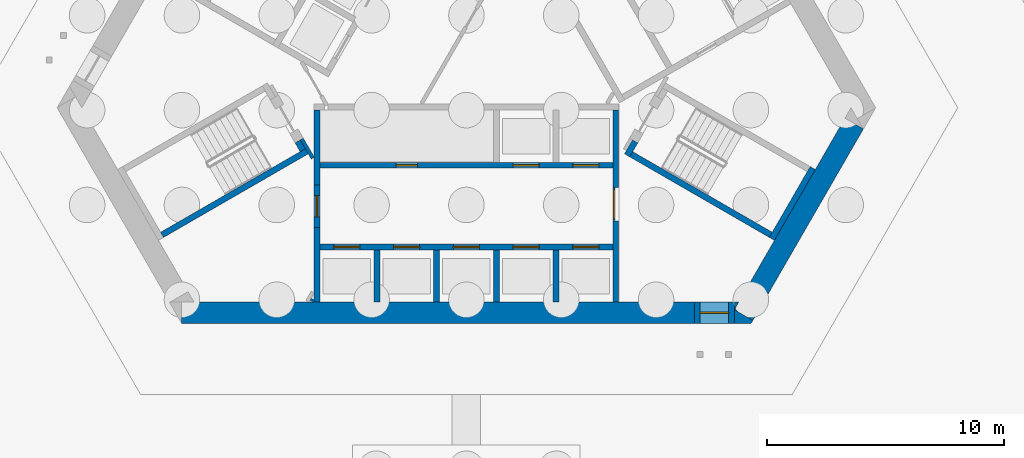
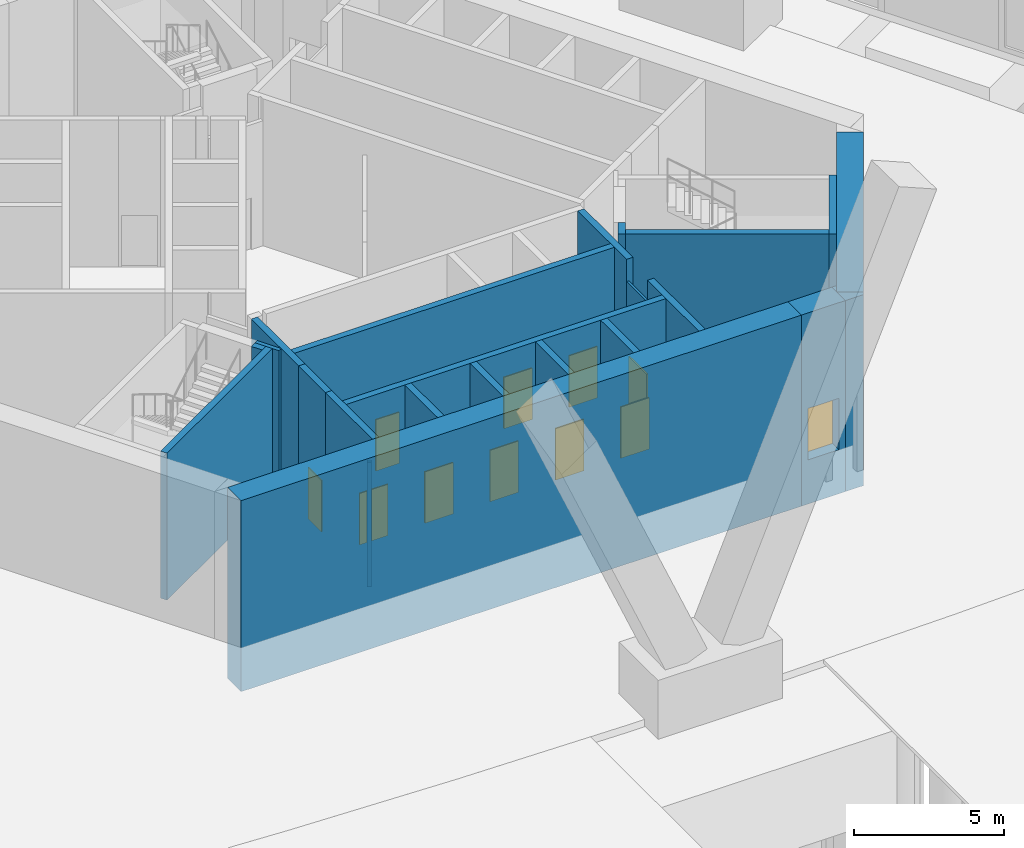
# One storey, part 12 of 38: 24 walls, 11 doors, 11 openings.
"""IFC4 building model written with IfcOpenShell, lengths in metres."""

from ifc_helpers import new_model, si_unit, direction, frame, frame_2d, origin, place, context, subcontext, project, spatial, polyline, rectangle, outline, extrude, material, layer, layer_set, type_object, element, fill, save


model = new_model("IFC4")

# Units and contexts
model_context = context("Model", 3, precision=1e-05, world=origin(), true_north=direction((0.0, 1.0)))
body_context = subcontext(model_context, "Body", "Model", "MODEL_VIEW")
ifc_project = project(units=[si_unit("LENGTHUNIT", "METRE"), si_unit("AREAUNIT", "SQUARE_METRE"), si_unit("VOLUMEUNIT", "CUBIC_METRE"), si_unit("PLANEANGLEUNIT", "RADIAN"), si_unit("MASSUNIT", "GRAM", prefix="KILO")], contexts=[model_context])

# Site, building, storey
site_placement = place(None, origin())
site = spatial("IfcSite", under=ifc_project, at=site_placement, CompositionType="ELEMENT")
building_placement = place(site_placement, origin())
building = spatial("IfcBuilding", under=site, at=building_placement, Name="Mestral Congress Tower", CompositionType="ELEMENT")
storey_placement = place(building_placement, origin())
storey = spatial("IfcBuildingStorey", under=building, at=storey_placement, Name="L00", CompositionType="ELEMENT", Elevation=0.0)

# Wall
ifc_material_1 = material(Name="Fire-rated board partition")
ifc_layer_1 = layer(ifc_material_1, 0.14990234375)
ifc_layer_set_1 = layer_set([ifc_layer_1], Name="Fire-rated board partition")
wall_type_1 = type_object("IfcWallType", Name="Core partition 150", PredefinedType="PARTITIONING", material=ifc_layer_set_1)
wall_1_placement = place(storey_placement, frame((-6.534423828125, -12.068115234375, 0.0), z_axis=(0.0, 0.0, 1.0), x_axis=(0.500240224089, 0.865886665912, 0.0)))
element("IfcWall", 1, at=wall_1_placement, inside=storey, type_object=wall_type_1, Name="L00 core wall", PredefinedType="PARTITIONING", context=body_context, shape_type="SweptSolid", body=[
    extrude(rectangle(XDim=0.10888671875, YDim=0.14990234375, at=frame_2d((0.054443359375, 0.0))), origin(), (0.0, 0.0, 1.0), 5.10009765625),
])

# Wall, opening, door
ifc_layer_2 = layer(ifc_material_1, 0.090087890625)
ifc_layer_set_2 = layer_set([ifc_layer_2], Name="Fire-rated board partition")
wall_type_2 = type_object("IfcWallType", Name="Core partition 150 door-wall 90", PredefinedType="PARTITIONING", material=ifc_layer_set_2)
wall_2_placement = place(storey_placement, frame((6.219970703125, -7.266357421875, 0.0), z_axis=(0.0, 0.0, 1.0), x_axis=(0.0, -1.0, 0.0)))
wall_2 = element("IfcWall", 2, at=wall_2_placement, inside=storey, type_object=wall_type_2, Name="L00 door wall", PredefinedType="PARTITIONING", context=body_context, shape_type="SweptSolid", body=[
    extrude(rectangle(XDim=1.400146484375, YDim=0.090087890625, at=frame_2d((0.7001953125, 0.0))), origin(), (0.0, 0.0, 1.0), 5.10009765625),
])
opening_1_placement = place(wall_2_placement, frame((0.10009765625, 0.0, 0.0)))
opening_1 = element("IfcOpeningElement", 3, at=opening_1_placement, cuts=wall_2, Name="Opening LB0-WL1", PredefinedType="OPENING", context=body_context, shape_type="SweptSolid", body=[
    extrude(rectangle(XDim=1.199951171875, YDim=2.10009765625, at=frame_2d((0.60009765625, 1.050048828125))), frame((0.0, 0.054931640625, 0.0), z_axis=(0.0, -1.0, 0.0), x_axis=(1.0, 0.0, 0.0)), (0.0, 0.0, 1.0), 0.110107421875),
])
ifc_material_2 = material(Name="Fire-rated steel door set", Category="steel")
door_type_1 = type_object("IfcDoorType", Name="Core door LB 1200x2100", OperationType="SINGLE_SWING_LEFT", PredefinedType="DOOR", material=ifc_material_2)
door_1_placement = place(opening_1_placement, origin())
door_1 = element("IfcDoor", 4, at=door_1_placement, inside=storey, type_object=door_type_1, Name="Door LB0-WL1", OperationType="SINGLE_SWING_LEFT", OverallHeight=2.10009765625, OverallWidth=1.199951171875, PredefinedType="DOOR", context=body_context, shape_type="SweptSolid", body=[
    extrude(rectangle(XDim=1.199951171875, YDim=2.10009765625, at=frame_2d((0.60009765625, 1.050048828125))), frame((0.0, 0.02490234375, 0.0), z_axis=(0.0, -1.0, 0.0), x_axis=(1.0, 0.0, 0.0)), (0.0, 0.0, 1.0), 0.050048828125),
])
fill(opening_1, door_1)

# Walls
ifc_material_3 = material(Name="Concrete C60/75", Category="concrete")
ifc_layer_3 = layer(ifc_material_3, 0.89990234375)
ifc_layer_set_3 = layer_set([ifc_layer_3], Name="Concrete C60/75")
wall_type_3 = type_object("IfcWallType", Name="Core wall RC 900", PredefinedType="SOLIDWALL", material=ifc_layer_set_3)
wall_3_placement = place(storey_placement, frame((11.69482421875, -12.643798828125, -1.800048828125), z_axis=(0.0, 0.0, 1.0), x_axis=(0.500010229568, 0.86601949766, 0.0)))
element("IfcWall", 5, at=wall_3_placement, inside=storey, type_object=wall_type_3, Name="L00 core wall", PredefinedType="SOLIDWALL", context=body_context, shape_type="SweptSolid", body=[
    extrude(rectangle(XDim=9.326416015625, YDim=0.89990234375, at=frame_2d((4.6630859375, 0.0))), origin(), (0.0, 0.0, 1.0), 7.800048828125),
])
placement = place(storey_placement, frame((0.0, 0.0, -1.800048828125)))
element("IfcWall", 6, at=placement, inside=storey, type_object=wall_type_3, Name="L00 core wall", PredefinedType="SOLIDWALL", context=body_context, shape_type="SweptSolid", body=[
    extrude(outline(polyline([(12.0087890625, -13.0), (11.31201171875, -13.0), (11.31201171875, -12.425048828125), (12.08349609375, -12.87060546875), (12.0087890625, -13.0)])), origin(), (0.0, 0.0, 1.0), 7.800048828125),
])
element("IfcWall", 7, at=placement, inside=storey, type_object=wall_type_3, Name="L00 core wall", PredefinedType="SOLIDWALL", context=body_context, shape_type="SweptSolid", body=[
    extrude(outline(polyline([(11.4892578125, -12.10009765625), (11.31201171875, -12.4072265625), (11.31201171875, -12.10009765625), (11.4892578125, -12.10009765625)])), origin(), (0.0, 0.0, 1.0), 7.800048828125),
])
wall_6_placement = place(storey_placement, frame((-12.0185546875, -12.550048828125, -1.800048828125), z_axis=(0.0, 0.0, 1.0), x_axis=(1.0, 0.0, 0.0)))
element("IfcWall", 8, at=wall_6_placement, inside=storey, type_object=wall_type_3, Name="L00 core wall", PredefinedType="SOLIDWALL", context=body_context, shape_type="SweptSolid", body=[
    extrude(rectangle(XDim=21.63037109375, YDim=0.89990234375, at=frame_2d((10.815185546875, 0.0))), origin(), (0.0, 0.0, 1.0), 7.800048828125),
])

# Wall, opening, door
wall_7_placement = place(storey_placement, frame((11.311767578125, -12.550048828125, -1.800048828125), z_axis=(0.0, 0.0, 1.0), x_axis=(-1.0, 0.0, 0.0)))
wall_7 = element("IfcWall", 9, at=wall_7_placement, inside=storey, type_object=wall_type_3, Name="L00 door wall", PredefinedType="SOLIDWALL", context=body_context, shape_type="SweptSolid", body=[
    extrude(rectangle(XDim=1.699951171875, YDim=0.89990234375, at=frame_2d((0.85009765625, 0.0))), origin(), (0.0, 0.0, 1.0), 7.800048828125),
])
opening_2_placement = place(wall_7_placement, frame((0.25, 0.0, 1.800048828125)))
opening_2 = element("IfcOpeningElement", 10, at=opening_2_placement, cuts=wall_7, Name="Opening XD1", PredefinedType="OPENING", context=body_context, shape_type="SweptSolid", body=[
    extrude(rectangle(XDim=1.199951171875, YDim=2.10009765625, at=frame_2d((0.60009765625, 1.050048828125))), frame((0.0, 0.4599609375, 0.0), z_axis=(0.0, -1.0, 0.0), x_axis=(1.0, 0.0, 0.0)), (0.0, 0.0, 1.0), 0.919921875),
])
door_type_2 = type_object("IfcDoorType", Name="Core door XD 1200x2100", OperationType="SINGLE_SWING_LEFT", PredefinedType="DOOR", material=ifc_material_2)
door_2_placement = place(opening_2_placement, origin())
door_2 = element("IfcDoor", 11, at=door_2_placement, inside=storey, type_object=door_type_2, Name="Door XD1", OperationType="SINGLE_SWING_LEFT", OverallHeight=2.10009765625, OverallWidth=1.199951171875, PredefinedType="DOOR", context=body_context, shape_type="SweptSolid", body=[
    extrude(rectangle(XDim=1.199951171875, YDim=2.10009765625, at=frame_2d((0.60009765625, 1.050048828125))), frame((0.0, 0.02490234375, 0.0), z_axis=(0.0, -1.0, 0.0), x_axis=(1.0, 0.0, 0.0)), (0.0, 0.0, 1.0), 0.050048828125),
])
fill(opening_2, door_2)

# Walls
ifc_layer_4 = layer(ifc_material_3, 0.25)
ifc_layer_set_4 = layer_set([ifc_layer_4], Name="Concrete C60/75")
wall_type_4 = type_object("IfcWallType", Name="Shaft wall RC 250", PredefinedType="SOLIDWALL", material=ifc_layer_set_4)
wall_8_placement = place(storey_placement, frame((-3.780029296875, -12.10009765625, -1.800048828125), z_axis=(0.0, 0.0, 1.0), x_axis=(0.0, 1.0, 0.0)))
element("IfcWall", 12, at=wall_8_placement, inside=storey, type_object=wall_type_4, Name="L00 core wall", PredefinedType="SOLIDWALL", context=body_context, shape_type="SweptSolid", body=[
    extrude(rectangle(XDim=2.199951171875, YDim=0.25, at=frame_2d((1.10009765625, 0.0))), origin(), (0.0, 0.0, 1.0), 7.800048828125),
])
wall_9_placement = place(storey_placement, frame((-6.300048828125, -12.10009765625, -1.800048828125), z_axis=(0.0, 0.0, 1.0), x_axis=(0.0, 1.0, 0.0)))
element("IfcWall", 13, at=wall_9_placement, inside=storey, type_object=wall_type_4, Name="L00 core wall", PredefinedType="SOLIDWALL", context=body_context, shape_type="SweptSolid", body=[
    extrude(rectangle(XDim=3.1455078125, YDim=0.25, at=frame_2d((1.57275390625, 0.0))), origin(), (0.0, 0.0, 1.0), 7.800048828125),
])
wall_10_placement = place(storey_placement, frame((6.300048828125, -8.669921875, -1.800048828125), z_axis=(0.0, 0.0, 1.0), x_axis=(0.0, -1.0, 0.0)))
element("IfcWall", 14, at=wall_10_placement, inside=storey, type_object=wall_type_4, Name="L00 core wall", PredefinedType="SOLIDWALL", context=body_context, shape_type="SweptSolid", body=[
    extrude(rectangle(XDim=3.43017578125, YDim=0.25, at=frame_2d((1.715087890625, 0.0))), origin(), (0.0, 0.0, 1.0), 7.800048828125),
])
wall_11_placement = place(storey_placement, frame((6.300048828125, -7.26806640625, -1.800048828125), z_axis=(0.0, 0.0, 1.0), x_axis=(0.0, 1.0, 0.0)))
element("IfcWall", 15, at=wall_11_placement, inside=storey, type_object=wall_type_4, Name="L00 core wall", PredefinedType="SOLIDWALL", context=body_context, shape_type="SweptSolid", body=[
    extrude(rectangle(XDim=3.26806640625, YDim=0.25, at=frame_2d((1.634033203125, 0.0))), origin(), (0.0, 0.0, 1.0), 7.800048828125),
])
wall_12_placement = place(storey_placement, frame((-6.300048828125, -4.0, -1.800048828125), z_axis=(0.0, 0.0, 1.0), x_axis=(0.0, -1.0, 0.0)))
element("IfcWall", 16, at=wall_12_placement, inside=storey, type_object=wall_type_4, Name="L00 core wall", PredefinedType="SOLIDWALL", context=body_context, shape_type="SweptSolid", body=[
    extrude(rectangle(XDim=3.154296875, YDim=0.25, at=frame_2d((1.5771484375, 0.0))), origin(), (0.0, 0.0, 1.0), 7.800048828125),
])
for number, where, z_axis, x_axis, name in (
    (17, (3.780029296875, -12.10009765625, -1.800048828125), (0.0, 0.0, 1.0), (0.0, 1.0, 0.0), "L00 core wall"),
    (18, (1.260009765625, -12.10009765625, -1.800048828125), (0.0, 0.0, 1.0), (0.0, 1.0, 0.0), "L00 core wall"),
    (19, (-1.260009765625, -12.10009765625, -1.800048828125), (0.0, 0.0, 1.0), (0.0, 1.0, 0.0), "L00 core wall"),
):
    element("IfcWall", number, at=place(storey_placement, frame(where, z_axis=z_axis, x_axis=x_axis)), inside=storey, type_object=wall_type_4, Name=name, PredefinedType="SOLIDWALL", context=body_context, shape_type="SweptSolid", body=[
        extrude(rectangle(XDim=2.199951171875, YDim=0.25, at=frame_2d((1.10009765625, 0.0))), origin(), (0.0, 0.0, 1.0), 7.800048828125),
    ])

# Wall, openings, doors
wall_13_placement = place(storey_placement, frame((-6.175048828125, -9.77490234375, -1.800048828125), z_axis=(0.0, 0.0, 1.0), x_axis=(1.0, 0.0, 0.0)))
wall_13 = element("IfcWall", 20, at=wall_13_placement, inside=storey, type_object=wall_type_4, Name="L00 door wall", PredefinedType="SOLIDWALL", context=body_context, shape_type="SweptSolid", body=[
    extrude(rectangle(XDim=12.35009765625, YDim=0.25, at=frame_2d((6.175048828125, 0.0))), origin(), (0.0, 0.0, 1.0), 7.800048828125),
])
opening_3_placement = place(wall_13_placement, frame((0.5849609375, 0.0, 1.800048828125)))
opening_3 = element("IfcOpeningElement", 21, at=opening_3_placement, cuts=wall_13, Name="Opening LD-SOA1", PredefinedType="OPENING", context=body_context, shape_type="SweptSolid", body=[
    extrude(rectangle(XDim=1.10009765625, YDim=2.10009765625, at=frame_2d((0.550048828125, 1.050048828125))), frame((0.0, 0.135009765625, 0.0), z_axis=(0.0, -1.0, 0.0), x_axis=(1.0, 0.0, 0.0)), (0.0, 0.0, 1.0), 0.27001953125),
])
opening_4_placement = place(wall_13_placement, frame((3.10498046875, 0.0, 1.800048828125)))
opening_4 = element("IfcOpeningElement", 22, at=opening_4_placement, cuts=wall_13, Name="Opening LD-SOA2", PredefinedType="OPENING", context=body_context, shape_type="SweptSolid", body=[
    extrude(rectangle(XDim=1.10009765625, YDim=2.10009765625, at=frame_2d((0.550048828125, 1.050048828125))), frame((0.0, 0.135009765625, 0.0), z_axis=(0.0, -1.0, 0.0), x_axis=(1.0, 0.0, 0.0)), (0.0, 0.0, 1.0), 0.27001953125),
])
opening_5_placement = place(wall_13_placement, frame((5.625, 0.0, 1.800048828125)))
opening_5 = element("IfcOpeningElement", 23, at=opening_5_placement, cuts=wall_13, Name="Opening LD-SOA3", PredefinedType="OPENING", context=body_context, shape_type="SweptSolid", body=[
    extrude(rectangle(XDim=1.10009765625, YDim=2.10009765625, at=frame_2d((0.550048828125, 1.050048828125))), frame((0.0, 0.135009765625, 0.0), z_axis=(0.0, -1.0, 0.0), x_axis=(1.0, 0.0, 0.0)), (0.0, 0.0, 1.0), 0.27001953125),
])
opening_6_placement = place(wall_13_placement, frame((8.14501953125, 0.0, 1.800048828125)))
opening_6 = element("IfcOpeningElement", 24, at=opening_6_placement, cuts=wall_13, Name="Opening LD-SOA4", PredefinedType="OPENING", context=body_context, shape_type="SweptSolid", body=[
    extrude(rectangle(XDim=1.10009765625, YDim=2.10009765625, at=frame_2d((0.550048828125, 1.050048828125))), frame((0.0, 0.135009765625, 0.0), z_axis=(0.0, -1.0, 0.0), x_axis=(1.0, 0.0, 0.0)), (0.0, 0.0, 1.0), 0.27001953125),
])
opening_7_placement = place(wall_13_placement, frame((10.6650390625, 0.0, 1.800048828125)))
opening_7 = element("IfcOpeningElement", 25, at=opening_7_placement, cuts=wall_13, Name="Opening LD-SOA5", PredefinedType="OPENING", context=body_context, shape_type="SweptSolid", body=[
    extrude(rectangle(XDim=1.10009765625, YDim=2.10009765625, at=frame_2d((0.550048828125, 1.050048828125))), frame((0.0, 0.135009765625, 0.0), z_axis=(0.0, -1.0, 0.0), x_axis=(1.0, 0.0, 0.0)), (0.0, 0.0, 1.0), 0.27001953125),
])
door_type_3 = type_object("IfcDoorType", Name="Core door LD 1100x2100", OperationType="DOUBLE_DOOR_SLIDING", PredefinedType="DOOR", material=ifc_material_2)
door_3_placement = place(opening_3_placement, origin())
door_3 = element("IfcDoor", 26, at=door_3_placement, inside=storey, type_object=door_type_3, Name="Door LD-SOA1", OperationType="DOUBLE_DOOR_SLIDING", OverallHeight=2.10009765625, OverallWidth=1.10009765625, PredefinedType="DOOR", context=body_context, shape_type="SweptSolid", body=[
    extrude(rectangle(XDim=1.10009765625, YDim=2.10009765625, at=frame_2d((0.550048828125, 1.050048828125))), frame((0.0, 0.02490234375, 0.0), z_axis=(0.0, -1.0, 0.0), x_axis=(1.0, 0.0, 0.0)), (0.0, 0.0, 1.0), 0.050048828125),
])
fill(opening_3, door_3)
door_4_placement = place(opening_4_placement, origin())
door_4 = element("IfcDoor", 27, at=door_4_placement, inside=storey, type_object=door_type_3, Name="Door LD-SOA2", OperationType="DOUBLE_DOOR_SLIDING", OverallHeight=2.10009765625, OverallWidth=1.10009765625, PredefinedType="DOOR", context=body_context, shape_type="SweptSolid", body=[
    extrude(rectangle(XDim=1.10009765625, YDim=2.10009765625, at=frame_2d((0.550048828125, 1.050048828125))), frame((0.0, 0.02490234375, 0.0), z_axis=(0.0, -1.0, 0.0), x_axis=(1.0, 0.0, 0.0)), (0.0, 0.0, 1.0), 0.050048828125),
])
fill(opening_4, door_4)
door_5_placement = place(opening_5_placement, origin())
door_5 = element("IfcDoor", 28, at=door_5_placement, inside=storey, type_object=door_type_3, Name="Door LD-SOA3", OperationType="DOUBLE_DOOR_SLIDING", OverallHeight=2.10009765625, OverallWidth=1.10009765625, PredefinedType="DOOR", context=body_context, shape_type="SweptSolid", body=[
    extrude(rectangle(XDim=1.10009765625, YDim=2.10009765625, at=frame_2d((0.550048828125, 1.050048828125))), frame((0.0, 0.02490234375, 0.0), z_axis=(0.0, -1.0, 0.0), x_axis=(1.0, 0.0, 0.0)), (0.0, 0.0, 1.0), 0.050048828125),
])
fill(opening_5, door_5)
door_6_placement = place(opening_6_placement, origin())
door_6 = element("IfcDoor", 29, at=door_6_placement, inside=storey, type_object=door_type_3, Name="Door LD-SOA4", OperationType="DOUBLE_DOOR_SLIDING", OverallHeight=2.10009765625, OverallWidth=1.10009765625, PredefinedType="DOOR", context=body_context, shape_type="SweptSolid", body=[
    extrude(rectangle(XDim=1.10009765625, YDim=2.10009765625, at=frame_2d((0.550048828125, 1.050048828125))), frame((0.0, 0.02490234375, 0.0), z_axis=(0.0, -1.0, 0.0), x_axis=(1.0, 0.0, 0.0)), (0.0, 0.0, 1.0), 0.050048828125),
])
fill(opening_6, door_6)
door_7_placement = place(opening_7_placement, origin())
door_7 = element("IfcDoor", 30, at=door_7_placement, inside=storey, type_object=door_type_3, Name="Door LD-SOA5", OperationType="DOUBLE_DOOR_SLIDING", OverallHeight=2.10009765625, OverallWidth=1.10009765625, PredefinedType="DOOR", context=body_context, shape_type="SweptSolid", body=[
    extrude(rectangle(XDim=1.10009765625, YDim=2.10009765625, at=frame_2d((0.550048828125, 1.050048828125))), frame((0.0, 0.02490234375, 0.0), z_axis=(0.0, -1.0, 0.0), x_axis=(1.0, 0.0, 0.0)), (0.0, 0.0, 1.0), 0.050048828125),
])
fill(opening_7, door_7)

wall_14_placement = place(storey_placement, frame((-6.175048828125, -6.324951171875, -1.800048828125), z_axis=(0.0, 0.0, 1.0), x_axis=(1.0, 0.0, 0.0)))
wall_14 = element("IfcWall", 31, at=wall_14_placement, inside=storey, type_object=wall_type_4, Name="L00 door wall", PredefinedType="SOLIDWALL", context=body_context, shape_type="SweptSolid", body=[
    extrude(rectangle(XDim=12.35009765625, YDim=0.25, at=frame_2d((6.175048828125, 0.0))), origin(), (0.0, 0.0, 1.0), 7.800048828125),
])
opening_8_placement = place(wall_14_placement, frame((3.205078125, 0.0, 1.800048828125)))
opening_8 = element("IfcOpeningElement", 32, at=opening_8_placement, cuts=wall_14, Name="Opening SR-SOB1", PredefinedType="OPENING", context=body_context, shape_type="SweptSolid", body=[
    extrude(rectangle(XDim=0.89990234375, YDim=2.10009765625, at=frame_2d((0.449951171875, 1.050048828125))), frame((0.0, 0.135009765625, 0.0), z_axis=(0.0, -1.0, 0.0), x_axis=(1.0, 0.0, 0.0)), (0.0, 0.0, 1.0), 0.27001953125),
])
opening_9_placement = place(wall_14_placement, frame((8.14501953125, 0.0, 1.800048828125)))
opening_9 = element("IfcOpeningElement", 33, at=opening_9_placement, cuts=wall_14, Name="Opening LD-SOB4", PredefinedType="OPENING", context=body_context, shape_type="SweptSolid", body=[
    extrude(rectangle(XDim=1.10009765625, YDim=2.10009765625, at=frame_2d((0.550048828125, 1.050048828125))), frame((0.0, 0.135009765625, 0.0), z_axis=(0.0, -1.0, 0.0), x_axis=(1.0, 0.0, 0.0)), (0.0, 0.0, 1.0), 0.27001953125),
])
opening_10_placement = place(wall_14_placement, frame((10.6650390625, 0.0, 1.800048828125)))
opening_10 = element("IfcOpeningElement", 34, at=opening_10_placement, cuts=wall_14, Name="Opening LD-SOB5", PredefinedType="OPENING", context=body_context, shape_type="SweptSolid", body=[
    extrude(rectangle(XDim=1.10009765625, YDim=2.10009765625, at=frame_2d((0.550048828125, 1.050048828125))), frame((0.0, 0.135009765625, 0.0), z_axis=(0.0, -1.0, 0.0), x_axis=(1.0, 0.0, 0.0)), (0.0, 0.0, 1.0), 0.27001953125),
])
door_8_placement = place(opening_9_placement, origin())
door_8 = element("IfcDoor", 35, at=door_8_placement, inside=storey, type_object=door_type_3, Name="Door LD-SOB4", OperationType="DOUBLE_DOOR_SLIDING", OverallHeight=2.10009765625, OverallWidth=1.10009765625, PredefinedType="DOOR", context=body_context, shape_type="SweptSolid", body=[
    extrude(rectangle(XDim=1.10009765625, YDim=2.10009765625, at=frame_2d((0.550048828125, 1.050048828125))), frame((0.0, 0.02490234375, 0.0), z_axis=(0.0, -1.0, 0.0), x_axis=(1.0, 0.0, 0.0)), (0.0, 0.0, 1.0), 0.050048828125),
])
fill(opening_9, door_8)
door_9_placement = place(opening_10_placement, origin())
door_9 = element("IfcDoor", 36, at=door_9_placement, inside=storey, type_object=door_type_3, Name="Door LD-SOB5", OperationType="DOUBLE_DOOR_SLIDING", OverallHeight=2.10009765625, OverallWidth=1.10009765625, PredefinedType="DOOR", context=body_context, shape_type="SweptSolid", body=[
    extrude(rectangle(XDim=1.10009765625, YDim=2.10009765625, at=frame_2d((0.550048828125, 1.050048828125))), frame((0.0, 0.02490234375, 0.0), z_axis=(0.0, -1.0, 0.0), x_axis=(1.0, 0.0, 0.0)), (0.0, 0.0, 1.0), 0.050048828125),
])
fill(opening_10, door_9)
door_type_4 = type_object("IfcDoorType", Name="Core door SR 900x2100", OperationType="SINGLE_SWING_LEFT", PredefinedType="DOOR", material=ifc_material_2)
door_10_placement = place(opening_8_placement, origin())
door_10 = element("IfcDoor", 37, at=door_10_placement, inside=storey, type_object=door_type_4, Name="Door SR-SOB1", OperationType="SINGLE_SWING_LEFT", OverallHeight=2.10009765625, OverallWidth=0.89990234375, PredefinedType="DOOR", context=body_context, shape_type="SweptSolid", body=[
    extrude(rectangle(XDim=0.89990234375, YDim=2.10009765625, at=frame_2d((0.449951171875, 1.050048828125))), frame((0.0, 0.02490234375, 0.0), z_axis=(0.0, -1.0, 0.0), x_axis=(1.0, 0.0, 0.0)), (0.0, 0.0, 1.0), 0.050048828125),
])
fill(opening_8, door_10)

# Wall, opening, door
wall_15_placement = place(storey_placement, frame((-6.300048828125, -7.154296875, -1.800048828125), z_axis=(0.0, 0.0, 1.0), x_axis=(0.0, -1.0, 0.0)))
wall_15 = element("IfcWall", 38, at=wall_15_placement, inside=storey, type_object=wall_type_4, Name="L00 door wall", PredefinedType="SOLIDWALL", context=body_context, shape_type="SweptSolid", body=[
    extrude(rectangle(XDim=1.800048828125, YDim=0.25, at=frame_2d((0.89990234375, 0.0))), origin(), (0.0, 0.0, 1.0), 7.800048828125),
])
opening_11_placement = place(wall_15_placement, frame((0.449951171875, 0.0, 1.800048828125)))
opening_11 = element("IfcOpeningElement", 39, at=opening_11_placement, cuts=wall_15, Name="Opening TD3", PredefinedType="OPENING", context=body_context, shape_type="SweptSolid", body=[
    extrude(rectangle(XDim=0.89990234375, YDim=2.10009765625, at=frame_2d((0.449951171875, 1.050048828125))), frame((0.0, 0.135009765625, 0.0), z_axis=(0.0, -1.0, 0.0), x_axis=(1.0, 0.0, 0.0)), (0.0, 0.0, 1.0), 0.27001953125),
])
door_11_placement = place(opening_11_placement, origin())
door_11 = element("IfcDoor", 40, at=door_11_placement, inside=storey, type_object=door_type_4, Name="Door TD3", OperationType="SINGLE_SWING_LEFT", OverallHeight=2.10009765625, OverallWidth=0.89990234375, PredefinedType="DOOR", context=body_context, shape_type="SweptSolid", body=[
    extrude(rectangle(XDim=0.89990234375, YDim=2.10009765625, at=frame_2d((0.449951171875, 1.050048828125))), frame((0.0, 0.02490234375, 0.0), z_axis=(0.0, -1.0, 0.0), x_axis=(1.0, 0.0, 0.0)), (0.0, 0.0, 1.0), 0.050048828125),
])
fill(opening_11, door_11)

# Walls
ifc_layer_5 = layer(ifc_material_3, 0.14990234375)
ifc_layer_set_5 = layer_set([ifc_layer_5], Name="Concrete C60/75")
wall_type_5 = type_object("IfcWallType", Name="Shaft wall RC 250 door-wall 150", PredefinedType="SOLIDWALL", material=ifc_layer_set_5)
wall_16_placement = place(storey_placement, frame((-6.48046875, -6.026611328125, -1.800048828125), z_axis=(0.0, 0.0, 1.0), x_axis=(-0.499927229454, 0.866067413802, 0.0)))
element("IfcWall", 41, at=wall_16_placement, inside=storey, type_object=wall_type_5, Name="L00 core wall", PredefinedType="PARTITIONING", context=body_context, shape_type="SweptSolid", body=[
    extrude(rectangle(XDim=0.928955078125, YDim=0.14990234375, at=frame_2d((0.46435546875, 0.0))), origin(), (0.0, 0.0, 1.0), 7.800048828125),
])
ifc_layer_6 = layer(ifc_material_3, 0.25)
ifc_layer_set_6 = layer_set([ifc_layer_6], Name="Concrete C60/75")
wall_type_6 = type_object("IfcWallType", Name="Stair wall RC 250", PredefinedType="SOLIDWALL", material=ifc_layer_set_6)
wall_17_placement = place(storey_placement, frame((12.885498046875, -9.431396484375, 0.0), z_axis=(0.0, 0.0, 1.0), x_axis=(0.500020560727, 0.866013532718, 0.0)))
element("IfcWall", 42, at=wall_17_placement, inside=storey, type_object=wall_type_6, Name="L00 core wall", PredefinedType="SOLIDWALL", context=body_context, shape_type="SweptSolid", body=[
    extrude(rectangle(XDim=3.449951171875, YDim=0.25, at=frame_2d((1.72509765625, 0.0))), origin(), (0.0, 0.0, 1.0), 6.0),
])
wall_18_placement = place(storey_placement, frame((12.83984375, -9.2607421875, 0.0), z_axis=(0.0, 0.0, 1.0), x_axis=(-0.866013990052, 0.500019768644, 0.0)))
element("IfcWall", 43, at=wall_18_placement, inside=storey, type_object=wall_type_6, Name="L00 core wall", PredefinedType="SOLIDWALL", context=body_context, shape_type="SweptSolid", body=[
    extrude(rectangle(XDim=6.800048828125, YDim=0.25, at=frame_2d((3.39990234375, 0.0))), origin(), (0.0, 0.0, 1.0), 6.0),
])
wall_19_placement = place(storey_placement, frame((6.780029296875, -5.906494140625, 0.0), z_axis=(0.0, 0.0, 1.0), x_axis=(0.500223362819, 0.865896406789, 0.0)))
element("IfcWall", 44, at=wall_19_placement, inside=storey, type_object=wall_type_6, Name="L00 core wall", PredefinedType="SOLIDWALL", context=body_context, shape_type="SweptSolid", body=[
    extrude(rectangle(XDim=0.675048828125, YDim=0.25, at=frame_2d((0.33740234375, 0.0))), origin(), (0.0, 0.0, 1.0), 6.0),
])
wall_20_placement = place(storey_placement, frame((-12.83984375, -9.2607421875, 0.0), z_axis=(0.0, 0.0, 1.0), x_axis=(0.866016039709, 0.500016218704, 0.0)))
element("IfcWall", 45, at=wall_20_placement, inside=storey, type_object=wall_type_6, Name="L00 core wall", PredefinedType="SOLIDWALL", context=body_context, shape_type="SweptSolid", body=[
    extrude(rectangle(XDim=7.050048828125, YDim=0.25, at=frame_2d((3.52490234375, 0.0))), origin(), (0.0, 0.0, 1.0), 6.0),
])
wall_21_placement = place(storey_placement, frame((-6.905029296875, -5.68994140625, 0.0), z_axis=(0.0, 0.0, 1.0), x_axis=(-0.500402024738, 0.865793170242, 0.0)))
element("IfcWall", 46, at=wall_21_placement, inside=storey, type_object=wall_type_6, Name="L00 core wall", PredefinedType="SOLIDWALL", context=body_context, shape_type="SweptSolid", body=[
    extrude(rectangle(XDim=0.425048828125, YDim=0.25, at=frame_2d((0.21240234375, 0.0))), origin(), (0.0, 0.0, 1.0), 6.0),
])

save(model, "model.ifc")
